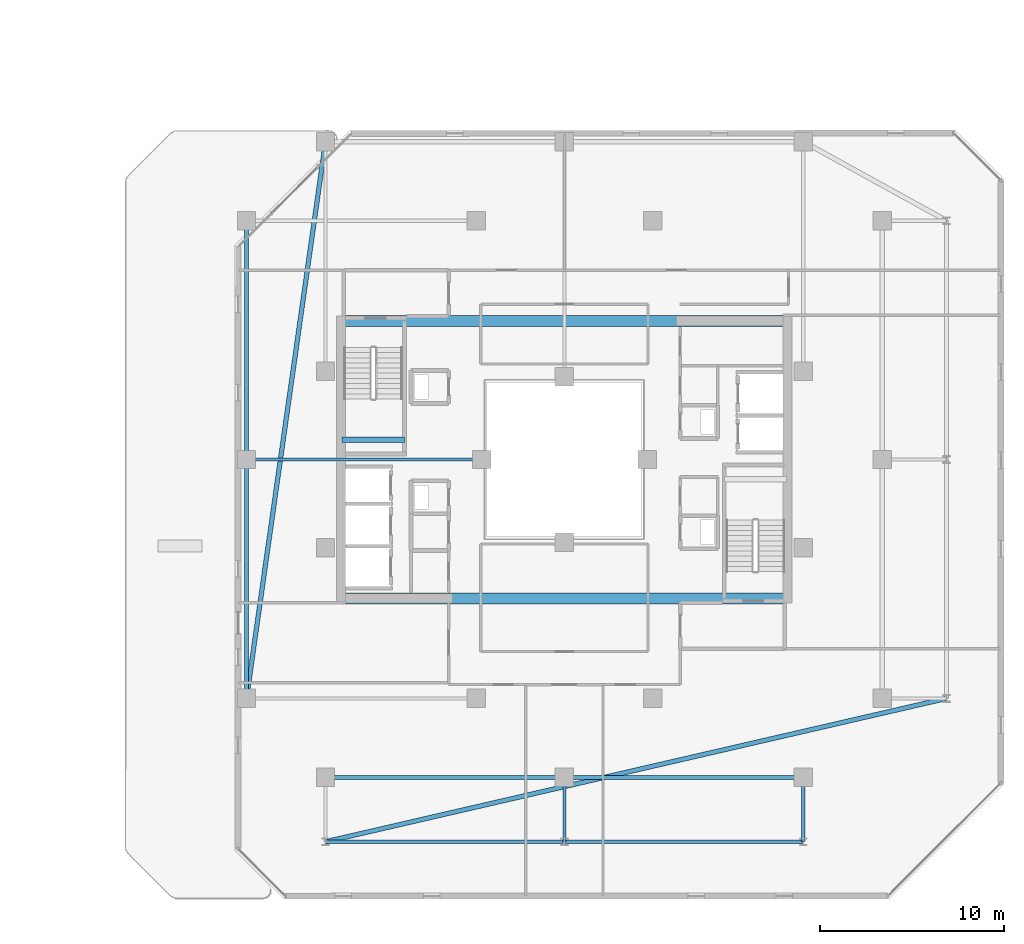
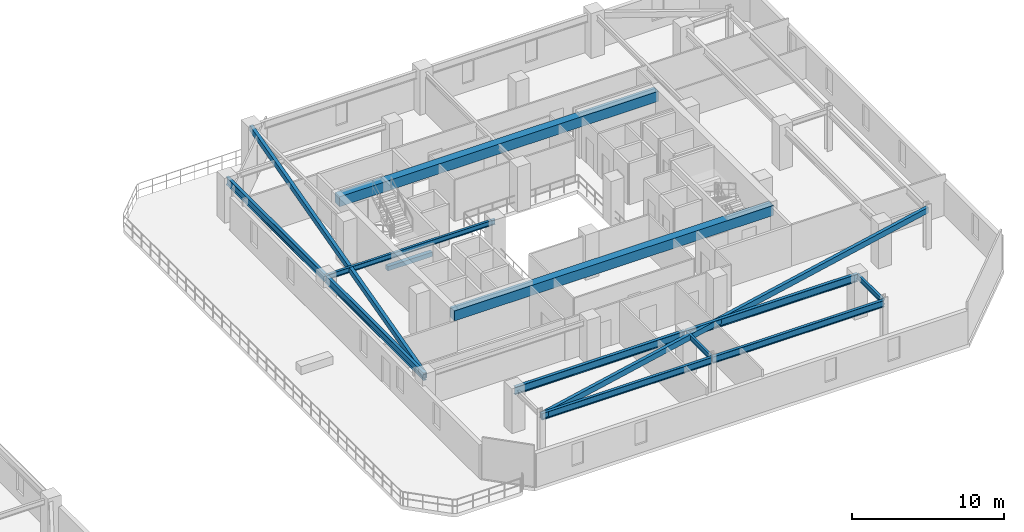
# One storey, part 11 of 29: 14 beams.
"""IFC4 building model written with IfcOpenShell, lengths in metres."""

from ifc_helpers import new_model, si_unit, direction, frame, origin, origin_2d, place, context, subcontext, project, spatial, rectangle, hollow_rectangle, i_section, extrude, material, material_profile, profile_set, type_object, element, save


model = new_model("IFC4")

# Units and contexts
model_context = context("Model", 3, precision=1e-05, world=origin(), true_north=direction((0.0, 1.0)))
body_context = subcontext(model_context, "Body", "Model", "MODEL_VIEW")
ifc_project = project(units=[si_unit("LENGTHUNIT", "METRE"), si_unit("AREAUNIT", "SQUARE_METRE"), si_unit("VOLUMEUNIT", "CUBIC_METRE"), si_unit("PLANEANGLEUNIT", "RADIAN"), si_unit("MASSUNIT", "GRAM", prefix="KILO")], contexts=[model_context])

# Site, building, storey
site_placement = place(None, origin())
site = spatial("IfcSite", under=ifc_project, at=site_placement, CompositionType="ELEMENT")
building_placement = place(site_placement, origin())
building = spatial("IfcBuilding", under=site, at=building_placement, Name="Thornwick Lancets Civic Towers", CompositionType="ELEMENT")
storey_placement = place(building_placement, frame((0.0, 0.0, 229.5)))
storey = spatial("IfcBuildingStorey", under=building, at=storey_placement, Name="L61", CompositionType="ELEMENT", Elevation=229.5)

# Beams
ifc_material_1 = material(Name="Concrete C60/75", Category="concrete")
ifc_material_profile_1 = material_profile(ifc_material_1, rectangle(XDim=0.60009765625, YDim=0.800048828125, at=origin_2d()), Name="RC 600x800")
ifc_profile_set_1 = profile_set([ifc_material_profile_1], Name="Concrete C60/75")
beam_type_1 = type_object("IfcBeamType", Name="BM_COUP_RC800", PredefinedType="BEAM", material=ifc_profile_set_1)
for number, where, z_axis, x_axis, name in (
    (1, (76.39990234375, 34.550048828125, 2.919921875), (1.0, 0.0, 0.0), (0.0, 1.0, 0.0), "CB-L61-B1"),
    (2, (76.39990234375, 19.449951171875, 2.919921875), (1.0, 0.0, 0.0), (0.0, 1.0, 0.0), "CB-L61-B2"),
):
    element("IfcBeam", number, at=place(storey_placement, frame(where, z_axis=z_axis, x_axis=x_axis)), inside=storey, type_object=beam_type_1, Name=name, PredefinedType="BEAM", context=body_context, shape_type="SweptSolid", body=[
        extrude(rectangle(XDim=0.60009765625, YDim=0.800048828125, at=origin_2d()), origin(), (0.0, 0.0, 1.0), 24.2001953125),
    ])
ifc_material_2 = material(Name="Steel S355JR", Category="steel")
ifc_material_profile_2 = material_profile(ifc_material_2, i_section(OverallWidth=0.210693359375, OverallDepth=0.53955078125, WebThickness=0.01171875, FlangeThickness=0.018798828125, FilletRadius=0.0126953125, at=origin_2d()), Name="UKB 533x210x109")
ifc_profile_set_2 = profile_set([ifc_material_profile_2], Name="Steel S355JR")
beam_type_2 = type_object("IfcBeamType", Name="BM_EDGE_533_109", PredefinedType="SPANDREL", material=ifc_profile_set_2)
beam_1_placement = place(storey_placement, frame((101.5, 6.199951171875, 3.05029296875), z_axis=(-1.0, 0.0, 0.0), x_axis=(0.0, -1.0, 0.0)))
element("IfcBeam", 3, at=beam_1_placement, inside=storey, type_object=beam_type_2, Name="BM-EDGE-L61-B-S3-1", PredefinedType="SPANDREL", context=body_context, shape_type="SweptSolid", body=[
    extrude(i_section(OverallWidth=0.210693359375, OverallDepth=0.53955078125, WebThickness=0.01171875, FlangeThickness=0.018798828125, FilletRadius=0.0126953125, at=origin_2d()), origin(), (0.0, 0.0, 1.0), 13.0),
])
beam_2_placement = place(storey_placement, frame((88.419921875, 6.199951171875, 3.05029296875), z_axis=(-1.0, 0.0, 0.0), x_axis=(0.0, -1.0, 0.0)))
element("IfcBeam", 4, at=beam_2_placement, inside=storey, type_object=beam_type_2, Name="BM-EDGE-L61-B-S3-2", PredefinedType="SPANDREL", context=body_context, shape_type="SweptSolid", body=[
    extrude(i_section(OverallWidth=0.210693359375, OverallDepth=0.53955078125, WebThickness=0.01171875, FlangeThickness=0.018798828125, FilletRadius=0.0126953125, at=origin_2d()), origin(), (0.0, 0.0, 1.0), 12.919921875),
])
ifc_material_profile_3 = material_profile(ifc_material_2, i_section(OverallWidth=0.230224609375, OverallDepth=0.6171875, WebThickness=0.01318359375, FlangeThickness=0.022216796875, FilletRadius=0.0126953125, at=origin_2d()), Name="UKB 610x229x140")
ifc_profile_set_3 = profile_set([ifc_material_profile_3], Name="Steel S355JR")
beam_type_3 = type_object("IfcBeamType", Name="BM_GIRD_610_140", PredefinedType="BEAM", material=ifc_profile_set_3)
beam_3_placement = place(storey_placement, frame((71.199951171875, 14.0, 3.011474609375), z_axis=(0.0, 1.0, 0.0), x_axis=(-1.0, 0.0, 0.0)))
element("IfcBeam", 5, at=beam_3_placement, inside=storey, type_object=beam_type_3, Name="BM-SPINE-L61-B-6-7", PredefinedType="BEAM", context=body_context, shape_type="SweptSolid", body=[
    extrude(i_section(OverallWidth=0.230224609375, OverallDepth=0.6171875, WebThickness=0.01318359375, FlangeThickness=0.022216796875, FilletRadius=0.0126953125, at=origin_2d()), origin(), (0.0, 0.0, 1.0), 13.0),
])
beam_4_placement = place(storey_placement, frame((71.199951171875, 27.080078125, 3.011474609375), z_axis=(0.0, 1.0, 0.0), x_axis=(-1.0, 0.0, 0.0)))
element("IfcBeam", 6, at=beam_4_placement, inside=storey, type_object=beam_type_3, Name="BM-SPINE-L61-B-7-8", PredefinedType="BEAM", context=body_context, shape_type="SweptSolid", body=[
    extrude(i_section(OverallWidth=0.230224609375, OverallDepth=0.6171875, WebThickness=0.01318359375, FlangeThickness=0.022216796875, FilletRadius=0.0126953125, at=origin_2d()), origin(), (0.0, 0.0, 1.0), 12.919921875),
])
beam_5_placement = place(storey_placement, frame((101.5, 9.699951171875, 3.011474609375), z_axis=(-1.0, 0.0, 0.0), x_axis=(0.0, -1.0, 0.0)))
element("IfcBeam", 7, at=beam_5_placement, inside=storey, type_object=beam_type_3, Name="BM-SPINE-L61-B-9-10", PredefinedType="BEAM", context=body_context, shape_type="SweptSolid", body=[
    extrude(i_section(OverallWidth=0.230224609375, OverallDepth=0.6171875, WebThickness=0.01318359375, FlangeThickness=0.022216796875, FilletRadius=0.0126953125, at=origin_2d()), origin(), (0.0, 0.0, 1.0), 13.0),
])
beam_6_placement = place(storey_placement, frame((88.419921875, 9.699951171875, 3.011474609375), z_axis=(-1.0, 0.0, 0.0), x_axis=(0.0, -1.0, 0.0)))
element("IfcBeam", 8, at=beam_6_placement, inside=storey, type_object=beam_type_3, Name="BM-SPINE-L61-B-10-11", PredefinedType="BEAM", context=body_context, shape_type="SweptSolid", body=[
    extrude(i_section(OverallWidth=0.230224609375, OverallDepth=0.6171875, WebThickness=0.01318359375, FlangeThickness=0.022216796875, FilletRadius=0.0126953125, at=origin_2d()), origin(), (0.0, 0.0, 1.0), 12.919921875),
])
ifc_material_profile_4 = material_profile(ifc_material_2, i_section(OverallWidth=0.179443359375, OverallDepth=0.412841796875, WebThickness=0.009521484375, FlangeThickness=0.01611328125, FilletRadius=0.01025390625, at=origin_2d()), Name="UKB 406x178x74")
ifc_profile_set_4 = profile_set([ifc_material_profile_4], Name="Steel S355JR")
beam_type_4 = type_object("IfcBeamType", Name="BM_JOIST_406_74", PredefinedType="JOIST", material=ifc_profile_set_4)
beam_7_placement = place(storey_placement, frame((84.0, 27.0, 3.113525390625), z_axis=(-1.0, 0.0, 0.0), x_axis=(0.0, -1.0, 0.0)))
element("IfcBeam", 9, at=beam_7_placement, inside=storey, type_object=beam_type_4, Name="BM-RADIN-L61-B08", PredefinedType="JOIST", context=body_context, shape_type="SweptSolid", body=[
    extrude(i_section(OverallWidth=0.179443359375, OverallDepth=0.412841796875, WebThickness=0.009521484375, FlangeThickness=0.01611328125, FilletRadius=0.01025390625, at=origin_2d()), origin(), (0.0, 0.0, 1.0), 12.800048828125),
])
for number, where, z_axis, x_axis, name in (
    (10, (101.5, 9.699951171875, 3.113525390625), (0.0, -1.0, 0.0), (1.0, 0.0, 0.0), "BM-RAD-L61-B10"),
    (11, (88.5, 9.699951171875, 3.113525390625), (0.0, -1.0, 0.0), (1.0, 0.0, 0.0), "BM-RAD-L61-B11"),
):
    element("IfcBeam", number, at=place(storey_placement, frame(where, z_axis=z_axis, x_axis=x_axis)), inside=storey, type_object=beam_type_4, Name=name, PredefinedType="JOIST", context=body_context, shape_type="SweptSolid", body=[
        extrude(i_section(OverallWidth=0.179443359375, OverallDepth=0.412841796875, WebThickness=0.009521484375, FlangeThickness=0.01611328125, FilletRadius=0.01025390625, at=origin_2d()), origin(), (0.0, 0.0, 1.0), 3.5),
    ])
ifc_material_profile_5 = material_profile(ifc_material_2, hollow_rectangle(XDim=0.25, YDim=0.449951171875, WallThickness=0.01611328125, at=origin_2d()), Name="RHS 450x250x16")
ifc_profile_set_5 = profile_set([ifc_material_profile_5], Name="Steel S355JR")
beam_type_5 = type_object("IfcBeamType", Name="BM_RING_RHS450", PredefinedType="BEAM", material=ifc_profile_set_5)
beam_8_placement = place(storey_placement, frame((75.5, 44.300048828125, 3.094970703125), z_axis=(-0.140507712682, -0.990079584012, 0.0), x_axis=(0.990079584012, -0.140507712682, 0.0)))
element("IfcBeam", 12, at=beam_8_placement, inside=storey, type_object=beam_type_5, Name="BM-CHAMF-L61-B-C1", PredefinedType="BEAM", context=body_context, shape_type="SweptSolid", body=[
    extrude(hollow_rectangle(XDim=0.25, YDim=0.449951171875, WallThickness=0.01611328125, at=origin_2d()), origin(), (0.0, 0.0, 1.0), 30.603759765625),
])
beam_9_placement = place(storey_placement, frame((75.5, 6.199951171875, 3.094970703125), z_axis=(0.974390958454, 0.224860534737, 0.0), x_axis=(-0.224860534737, 0.974390958454, 0.0)))
element("IfcBeam", 13, at=beam_9_placement, inside=storey, type_object=beam_type_5, Name="BM-CHAMF-L61-B-C3", PredefinedType="BEAM", context=body_context, shape_type="SweptSolid", body=[
    extrude(hollow_rectangle(XDim=0.25, YDim=0.449951171875, WallThickness=0.01611328125, at=origin_2d()), origin(), (0.0, 0.0, 1.0), 34.6884765625),
])
ifc_material_3 = material(Name="Concrete C40/50", Category="concrete")
ifc_material_profile_6 = material_profile(ifc_material_3, rectangle(XDim=0.300048828125, YDim=0.35009765625, at=origin_2d()), Name="RC 300x350")
ifc_profile_set_6 = profile_set([ifc_material_profile_6], Name="Concrete C40/50")
beam_type_6 = type_object("IfcBeamType", Name="BM_STAIR_LDG", PredefinedType="BEAM", material=ifc_profile_set_6)
beam_10_placement = place(storey_placement, frame((76.39990234375, 28.06494140625, 1.3779296875), z_axis=(1.0, 0.0, 0.0), x_axis=(0.0, 1.0, 0.0)))
element("IfcBeam", 14, at=beam_10_placement, inside=storey, type_object=beam_type_6, Name="L61 ST-B2 Landing Support Beam 1", PredefinedType="BEAM", context=body_context, shape_type="SweptSolid", body=[
    extrude(rectangle(XDim=0.300048828125, YDim=0.35009765625, at=origin_2d()), origin(), (0.0, 0.0, 1.0), 3.400146484375),
])

save(model, "model.ifc")
